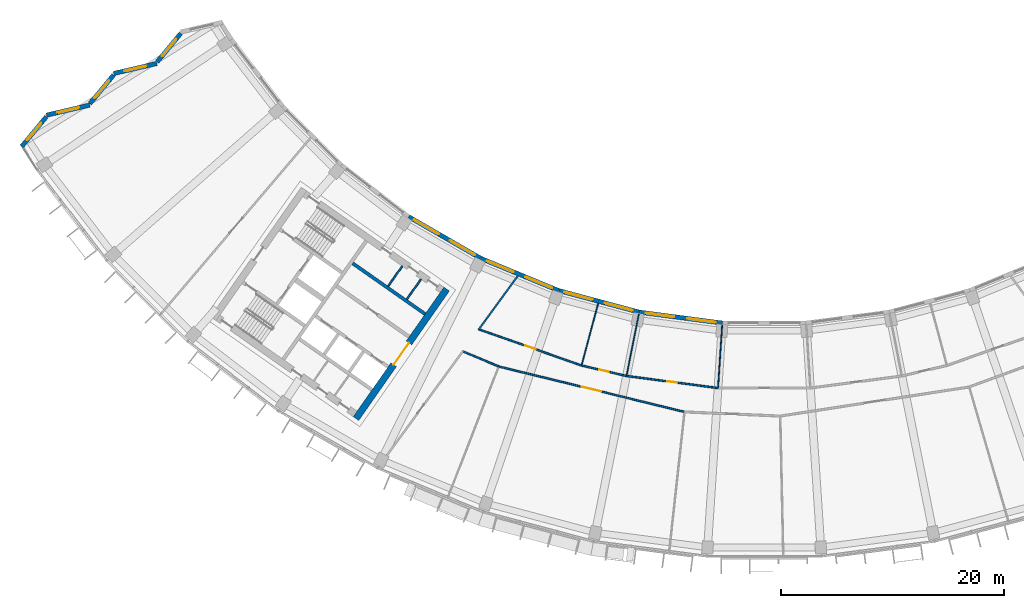
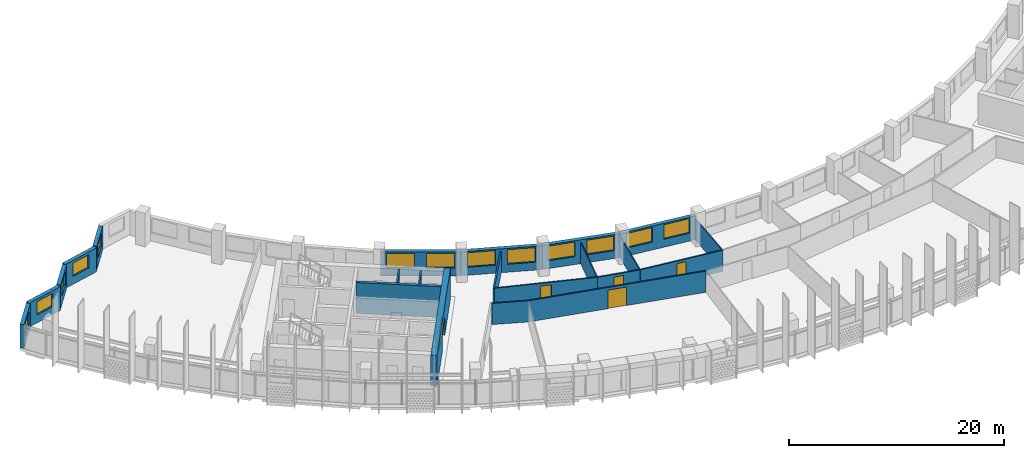
# One storey, part 4 of 28: 22 walls, 13 windows, 5 doors, 18 openings.
"""IFC4 building model written with IfcOpenShell, lengths in metres."""

import ifcopenshell
import ifcopenshell.guid

model = None  # the IFC model being written
_history = None  # IfcOwnerHistory: only IFC2X3 demands one
_inside = {}  # id of a spatial element -> (the spatial element, [elements in it])
_under = {}  # id of a project, library or spatial element -> (it, [spatial elements below it])
_declared = {}  # id of a project -> (the project, [libraries it declares])
_typed = {}  # id of a type object -> (the type object, [elements of that type])
_made_of = {}  # id of a material, layer set ... -> (it, [elements and type objects made of it])


def new_model(schema):
    """Start an empty IFC model of exactly this schema.

    Asked for "IFC4X3", IfcOpenShell would pick the latest addendum, in which some entities
    have other attributes; the version numbers below select the first issue.
    IFC2X3 requires an IfcOwnerHistory on every rooted entity: one is made here for all.
    """
    global model, _history
    if schema == "IFC4X3":
        model = ifcopenshell.file(schema_version=(4, 3, 0, 0))
    else:
        model = ifcopenshell.file(schema=schema)
    _inside.clear()
    _under.clear()
    _declared.clear()
    _typed.clear()
    _made_of.clear()
    _history = None
    if model.schema == "IFC2X3":
        org = make("IfcOrganization", Name="unknown")
        user = make(
            "IfcPersonAndOrganization",
            ThePerson=make("IfcPerson", FamilyName="unknown"),
            TheOrganization=org,
        )
        app = make(
            "IfcApplication",
            ApplicationDeveloper=org,
            Version="unknown",
            ApplicationFullName="unknown",
            ApplicationIdentifier="unknown",
        )
        _history = make(
            "IfcOwnerHistory",
            OwningUser=user,
            OwningApplication=app,
            ChangeAction="ADDED",
            CreationDate=0,
        )
    return model


def make(cls, **values):
    """One entity of the class cls with the attributes given. An attribute that is None is left unset."""
    return model.create_entity(
        cls, **{name: value for name, value in values.items() if value is not None}
    )


def rooted(cls, **values):
    """An entity with a GlobalId (a new one), such as an element, a storey or a relation."""
    return make(cls, GlobalId=ifcopenshell.guid.new(), OwnerHistory=_history, **values)


def si_unit(unit_type, name, prefix=None):
    """IfcSIUnit, for example si_unit("LENGTHUNIT", "METRE", prefix="MILLI")."""
    return make("IfcSIUnit", UnitType=unit_type, Prefix=prefix, Name=name)


def assignment(units):
    """IfcUnitAssignment: the units of a project."""
    return None if units is None else make("IfcUnitAssignment", Units=units)


def point(xyz):
    """IfcCartesianPoint."""
    return None if xyz is None else make("IfcCartesianPoint", Coordinates=xyz)


def direction(xyz):
    """IfcDirection."""
    return None if xyz is None else make("IfcDirection", DirectionRatios=xyz)


def frame(location, z_axis=None, x_axis=None):
    """IfcAxis2Placement3D, a coordinate frame: its origin and axes. An axis left out is left unset."""
    return make(
        "IfcAxis2Placement3D",
        Location=point(location),
        Axis=direction(z_axis),
        RefDirection=direction(x_axis),
    )


def frame_2d(location, x_axis=None):
    """IfcAxis2Placement2D, a coordinate frame in the plane: its origin and x axis."""
    return make(
        "IfcAxis2Placement2D", Location=point(location), RefDirection=direction(x_axis)
    )


def origin():
    """The frame at (0, 0, 0) with its axes left unset."""
    return frame((0.0, 0.0, 0.0))


def place(relative_to, where):
    """IfcLocalPlacement: puts the frame where relative to a parent placement (None: the world)."""
    return make(
        "IfcLocalPlacement", PlacementRelTo=relative_to, RelativePlacement=where
    )


def context(
    kind, dimensions, precision=None, world=None, true_north=None, identifier=None
):
    """IfcGeometricRepresentationContext, for example the 3D "Model" context."""
    return make(
        "IfcGeometricRepresentationContext",
        ContextIdentifier=identifier,
        ContextType=kind,
        CoordinateSpaceDimension=dimensions,
        Precision=precision,
        WorldCoordinateSystem=world,
        TrueNorth=true_north,
    )


def subcontext(parent, identifier, kind, view, scale=None):
    """IfcGeometricRepresentationSubContext, for example "Body" below "Model"."""
    return make(
        "IfcGeometricRepresentationSubContext",
        ContextIdentifier=identifier,
        ContextType=kind,
        ParentContext=parent,
        TargetScale=scale,
        TargetView=view,
    )


def project(units=None, contexts=None):
    """IfcProject with its units and contexts."""
    return rooted(
        "IfcProject",
        Name="project",
        RepresentationContexts=contexts,
        UnitsInContext=assignment(units),
    )


def spatial(cls, under=None, at=None, **own):
    """A site, building, storey or space (cls), placed at a placement, below another one or the project."""
    s = rooted(cls, ObjectPlacement=at, **own)
    if under is not None:
        _under.setdefault(under.id(), (under, []))[1].append(s)
    return s


def profile(cls, at=None, kind="AREA", **sizes):
    """A parametric profile (cls). Its sizes go by their IFC names, for example OverallWidth=200.0."""
    return make(cls, ProfileType=kind, Position=at, **sizes)


def rectangle(**sizes):
    """IfcRectangleProfileDef."""
    return profile("IfcRectangleProfileDef", **sizes)


def extrude(swept, where, along, depth):
    """IfcExtrudedAreaSolid: the profile swept, set in the frame where, extruded along a direction by depth."""
    return make(
        "IfcExtrudedAreaSolid",
        SweptArea=swept,
        Position=where,
        ExtrudedDirection=direction(along),
        Depth=depth,
    )


def shape(context_of_items, identifier, shape_type, items):
    """IfcShapeRepresentation: the items that make up one representation, for example the "Body"."""
    return make(
        "IfcShapeRepresentation",
        ContextOfItems=context_of_items,
        RepresentationIdentifier=identifier,
        RepresentationType=shape_type,
        Items=items,
    )


def material(Name=None, Category=None):
    """IfcMaterial."""
    return make("IfcMaterial", Name=Name, Category=Category)


def layer(
    of_material, thickness, ventilated=None, Name=None, Category=None, Priority=None
):
    """IfcMaterialLayer: one layer of a wall or slab, of a material (None: an air gap)."""
    return make(
        "IfcMaterialLayer",
        Material=of_material,
        LayerThickness=thickness,
        IsVentilated=ventilated,
        Name=Name,
        Category=Category,
        Priority=Priority,
    )


def layer_set(layers, Name=None):
    """IfcMaterialLayerSet."""
    return make("IfcMaterialLayerSet", MaterialLayers=layers, LayerSetName=Name)


def made_of(thing, what):
    """Note that an element or type object is made of a material, layer set ...; save() writes the relation."""
    if what is not None:
        _made_of.setdefault(what.id(), (what, []))[1].append(thing)
    return thing


def type_object(cls, material=None, **own):
    """A type object (cls), such as IfcWallType, which elements share."""
    return made_of(rooted(cls, **own), material)


def element(
    cls,
    number,
    at=None,
    inside=None,
    cuts=None,
    type_object=None,
    material=None,
    context=None,
    identifier="Body",
    shape_type=None,
    held_by="IfcProductDefinitionShape",
    body=None,
    shapes=None,
    **own,
):
    """One element of the class cls, such as IfcWall. Its Tag is "e" and its number.

    at: its placement. inside: the storey or other place that contains it. cuts: it is an
    opening in that element (IfcRelVoidsElement). A single representation is given by context,
    identifier, shape_type and body (its items); several are given by shapes. held_by: the class
    of the entity that holds the representations. save() writes the other relations.
    """
    e = rooted(cls, Tag="e%d" % number, ObjectPlacement=at, **own)
    if body is not None:
        shapes = [shape(context, identifier, shape_type, body)]
    if shapes is not None:
        e.Representation = make(held_by, Representations=shapes)
    if inside is not None:
        _inside.setdefault(inside.id(), (inside, []))[1].append(e)
    if cuts is not None:
        rooted(
            "IfcRelVoidsElement", RelatingBuildingElement=cuts, RelatedOpeningElement=e
        )
    if type_object is not None:
        _typed.setdefault(type_object.id(), (type_object, []))[1].append(e)
    return made_of(e, material)


def fill(opening, filler):
    """IfcRelFillsElement: the door or window that sits in an opening."""
    return rooted(
        "IfcRelFillsElement",
        RelatingOpeningElement=opening,
        RelatedBuildingElement=filler,
    )


def aggregate(whole, parts):
    """IfcRelAggregates: a whole, such as a stair, and the parts it consists of."""
    return rooted("IfcRelAggregates", RelatingObject=whole, RelatedObjects=parts)


def save(model, path):
    """Write the relations noted so far, then the file.

    IfcRelAggregates (storeys below a building ...), IfcRelContainedInSpatialStructure (elements
    in a storey), IfcRelDefinesByType, IfcRelAssociatesMaterial and IfcRelDeclares: one each for
    every whole, place, type object, material and project.
    """
    for whole, parts in _under.values():
        aggregate(whole, parts)
    for where, things in _inside.values():
        rooted(
            "IfcRelContainedInSpatialStructure",
            RelatedElements=things,
            RelatingStructure=where,
        )
    for kind, things in _typed.values():
        rooted("IfcRelDefinesByType", RelatedObjects=things, RelatingType=kind)
    for what, things in _made_of.values():
        rooted("IfcRelAssociatesMaterial", RelatedObjects=things, RelatingMaterial=what)
    for by, libraries in _declared.values():
        rooted("IfcRelDeclares", RelatingContext=by, RelatedDefinitions=libraries)
    model.write(path)


model = new_model("IFC4")

# Units and contexts
model_context = context("Model", 3, precision=1e-05, world=origin(), true_north=direction((0.0, 1.0)))
body_context = subcontext(model_context, "Body", "Model", "MODEL_VIEW")
ifc_project = project(units=[si_unit("LENGTHUNIT", "METRE"), si_unit("AREAUNIT", "SQUARE_METRE"), si_unit("VOLUMEUNIT", "CUBIC_METRE"), si_unit("PLANEANGLEUNIT", "RADIAN"), si_unit("MASSUNIT", "GRAM", prefix="KILO")], contexts=[model_context])

# Site, building, storey
site_placement = place(None, origin())
site = spatial("IfcSite", under=ifc_project, at=site_placement, CompositionType="ELEMENT")
building_placement = place(site_placement, origin())
building = spatial("IfcBuilding", under=site, at=building_placement, Name="Qamariyya Broadcast Tower", CompositionType="ELEMENT")
storey_placement = place(building_placement, frame((0.0, 0.0, 226.5)))
storey = spatial("IfcBuildingStorey", under=building, at=storey_placement, Name="L54", CompositionType="ELEMENT", Elevation=226.5)

# Wall, opening, door
ifc_material_1 = material(Name="Concrete C60/75", Category="concrete")
ifc_layer_1 = layer(ifc_material_1, 0.60009765625)
ifc_layer_set_1 = layer_set([ifc_layer_1], Name="Core wall 600 mm Concrete C60/75")
wall_type_1 = type_object("IfcWallType", Name="Core wall 600 mm Concrete C60/75", PredefinedType="SHEAR", material=ifc_layer_set_1)
wall_1_placement = place(storey_placement, frame((-36.66748046875, -66.005126953125, 0.0), z_axis=(0.0, 0.0, 1.0), x_axis=(0.573568499524, 0.819157601658, 0.0)))
wall_1 = element("IfcWall", 1, at=wall_1_placement, inside=storey, type_object=wall_type_1, Name="k-W-L54-WA", PredefinedType="SHEAR", context=body_context, shape_type="SweptSolid", body=[
    extrude(rectangle(XDim=14.19970703125, YDim=0.60009765625, at=frame_2d((7.099853515625, 0.0))), origin(), (0.0, 0.0, 1.0), 3.5),
])
opening_1_placement = place(wall_1_placement, frame((5.89990234375, 0.0, 0.0)))
opening_1 = element("IfcOpeningElement", 2, at=opening_1_placement, cuts=wall_1, Name="Opening KD3-W1", PredefinedType="OPENING", context=body_context, shape_type="SweptSolid", body=[
    extrude(rectangle(XDim=2.39990234375, YDim=2.10009765625, at=frame_2d((1.199951171875, 1.050048828125))), frame((0.0, 0.31005859375, 0.0), z_axis=(0.0, -1.0, 0.0), x_axis=(1.0, 0.0, 0.0)), (0.0, 0.0, 1.0), 0.6201171875),
])
ifc_material_2 = material(Name="Steel fire-resisting door leaf", Category="steel")
door_type_1 = type_object("IfcDoorType", Name="Lift lobby door KD3", OperationType="DOUBLE_DOOR_SINGLE_SWING", PredefinedType="DOOR", material=ifc_material_2)
door_1_placement = place(opening_1_placement, origin())
door_1 = element("IfcDoor", 3, at=door_1_placement, inside=storey, type_object=door_type_1, Name="k-W-L54-WA-D1", OperationType="DOUBLE_DOOR_SINGLE_SWING", OverallHeight=2.10009765625, OverallWidth=2.39990234375, PredefinedType="DOOR", context=body_context, shape_type="SweptSolid", body=[
    extrude(rectangle(XDim=2.39990234375, YDim=2.10009765625, at=frame_2d((1.199951171875, 1.050048828125))), frame((0.0, 0.02490234375, 0.0), z_axis=(0.0, -1.0, 0.0), x_axis=(1.0, 0.0, 0.0)), (0.0, 0.0, 1.0), 0.050048828125),
])
fill(opening_1, door_1)

# Wall
ifc_material_3 = material(Name="Gypsum board partition")
ifc_layer_2 = layer(ifc_material_3, 0.14990234375)
ifc_layer_set_2 = layer_set([ifc_layer_2], Name="Corridor partition 150 EI 60")
wall_type_2 = type_object("IfcWallType", Name="Corridor partition 150 EI 60", PredefinedType="PARTITIONING", material=ifc_layer_set_2)
wall_2_placement = place(storey_placement, frame((-27.008544921875, -59.999267578125, 0.0), z_axis=(0.0, 0.0, 1.0), x_axis=(0.922043605685, -0.387086023018, 0.0)))
element("IfcWall", 4, at=wall_2_placement, inside=storey, type_object=wall_type_2, Name="Partition L54-004", PredefinedType="PARTITIONING", context=body_context, shape_type="SweptSolid", body=[
    extrude(rectangle(XDim=3.42919921875, YDim=0.14990234375, at=frame_2d((1.714599609375, 0.0))), origin(), (0.0, 0.0, 1.0), 2.39990234375),
])

# Wall, opening, door
wall_3_placement = place(storey_placement, frame((-25.56103515625, -58.0126953125, 0.0), z_axis=(0.0, 0.0, 1.0), x_axis=(0.943087830275, -0.332543748081, 0.0)))
wall_3 = element("IfcWall", 5, at=wall_3_placement, inside=storey, type_object=wall_type_2, Name="Partition L54-005", PredefinedType="PARTITIONING", context=body_context, shape_type="SweptSolid", body=[
    extrude(rectangle(XDim=9.7041015625, YDim=0.14990234375, at=frame_2d((4.85205078125, 0.0))), origin(), (0.0, 0.0, 1.0), 2.39990234375),
])
opening_2_placement = place(wall_3_placement, frame((4.35205078125, 0.0, 0.0)))
opening_2 = element("IfcOpeningElement", 6, at=opening_2_placement, cuts=wall_3, Name="Opening L54-D06", PredefinedType="OPENING", context=body_context, shape_type="SweptSolid", body=[
    extrude(rectangle(XDim=1.0, YDim=2.10009765625, at=frame_2d((0.5, 1.050048828125))), frame((0.0, 0.0849609375, 0.0), z_axis=(0.0, -1.0, 0.0), x_axis=(1.0, 0.0, 0.0)), (0.0, 0.0, 1.0), 0.169921875),
])
ifc_material_4 = material(Name="Timber fire door leaf", Category="wood")
door_type_2 = type_object("IfcDoorType", Name="Fire door 1000 x 2100 FD60", OperationType="NOTDEFINED", PredefinedType="DOOR", material=ifc_material_4)
door_2_placement = place(opening_2_placement, origin())
door_2 = element("IfcDoor", 7, at=door_2_placement, inside=storey, type_object=door_type_2, Name="Door L54-D06", OperationType="SINGLE_SWING_RIGHT", OverallHeight=2.10009765625, OverallWidth=1.0, PredefinedType="DOOR", context=body_context, shape_type="SweptSolid", body=[
    extrude(rectangle(XDim=1.0, YDim=2.10009765625, at=frame_2d((0.5, 1.050048828125))), frame((0.0, 0.02490234375, 0.0), z_axis=(0.0, -1.0, 0.0), x_axis=(1.0, 0.0, 0.0)), (0.0, 0.0, 1.0), 0.050048828125),
])
fill(opening_2, door_2)

wall_4_placement = place(storey_placement, frame((-7.16162109375, -65.4091796875, 0.0), z_axis=(0.0, 0.0, 1.0), x_axis=(-0.971345945065, 0.23767005492, 0.0)))
wall_4 = element("IfcWall", 8, at=wall_4_placement, inside=storey, type_object=wall_type_2, Name="Partition L54-006", PredefinedType="PARTITIONING", context=body_context, shape_type="SweptSolid", body=[
    extrude(rectangle(XDim=17.17724609375, YDim=0.14990234375, at=frame_2d((8.588623046875, 0.0))), origin(), (0.0, 0.0, 1.0), 2.39990234375),
])
opening_3_placement = place(wall_4_placement, frame((7.688720703125, 0.0, 0.0)))
opening_3 = element("IfcOpeningElement", 9, at=opening_3_placement, cuts=wall_4, Name="Opening L54-D02", PredefinedType="OPENING", context=body_context, shape_type="SweptSolid", body=[
    extrude(rectangle(XDim=1.800048828125, YDim=2.10009765625, at=frame_2d((0.89990234375, 1.050048828125))), frame((0.0, 0.0849609375, 0.0), z_axis=(0.0, -1.0, 0.0), x_axis=(1.0, 0.0, 0.0)), (0.0, 0.0, 1.0), 0.169921875),
])
door_type_3 = type_object("IfcDoorType", Name="Double fire door 1800 x 2100 FD60", OperationType="NOTDEFINED", PredefinedType="DOOR", material=ifc_material_4)
door_3_placement = place(opening_3_placement, origin())
door_3 = element("IfcDoor", 10, at=door_3_placement, inside=storey, type_object=door_type_3, Name="Door L54-D02", OperationType="DOUBLE_DOOR_SINGLE_SWING", OverallHeight=2.10009765625, OverallWidth=1.800048828125, PredefinedType="DOOR", context=body_context, shape_type="SweptSolid", body=[
    extrude(rectangle(XDim=1.800048828125, YDim=2.10009765625, at=frame_2d((0.89990234375, 1.050048828125))), frame((0.0, 0.02490234375, 0.0), z_axis=(0.0, -1.0, 0.0), x_axis=(1.0, 0.0, 0.0)), (0.0, 0.0, 1.0), 0.050048828125),
])
fill(opening_3, door_3)

# Wall
wall_5_placement = place(storey_placement, frame((-22.135498046875, -53.1943359375, 0.0), z_axis=(0.0, 0.0, 1.0), x_axis=(-0.589297062476, -0.807916438846, 0.0)))
element("IfcWall", 11, at=wall_5_placement, inside=storey, type_object=wall_type_2, Name="Partition L54-007", PredefinedType="PARTITIONING", context=body_context, shape_type="SweptSolid", body=[
    extrude(rectangle(XDim=6.008056640625, YDim=0.14990234375, at=frame_2d((3.00390625, 0.0))), origin(), (0.0, 0.0, 1.0), 2.39990234375),
])

# Wall, opening, door
wall_6_placement = place(storey_placement, frame((-16.4091796875, -61.23974609375, 0.0), z_axis=(0.0, 0.0, 1.0), x_axis=(0.973875922187, -0.227080796599, 0.0)))
wall_6 = element("IfcWall", 12, at=wall_6_placement, inside=storey, type_object=wall_type_2, Name="Partition L54-008", PredefinedType="PARTITIONING", context=body_context, shape_type="SweptSolid", body=[
    extrude(rectangle(XDim=4.14892578125, YDim=0.14990234375, at=frame_2d((2.074462890625, 0.0))), origin(), (0.0, 0.0, 1.0), 2.39990234375),
])
opening_4_placement = place(wall_6_placement, frame((1.62451171875, 0.0, 0.0)))
opening_4 = element("IfcOpeningElement", 13, at=opening_4_placement, cuts=wall_6, Name="Opening L54-D07", PredefinedType="OPENING", context=body_context, shape_type="SweptSolid", body=[
    extrude(rectangle(XDim=0.89990234375, YDim=2.10009765625, at=frame_2d((0.449951171875, 1.050048828125))), frame((0.0, 0.0849609375, 0.0), z_axis=(0.0, -1.0, 0.0), x_axis=(1.0, 0.0, 0.0)), (0.0, 0.0, 1.0), 0.169921875),
])
door_type_4 = type_object("IfcDoorType", Name="Fire door 900 x 2100 FD60", OperationType="NOTDEFINED", PredefinedType="DOOR", material=ifc_material_4)
door_4_placement = place(opening_4_placement, origin())
door_4 = element("IfcDoor", 14, at=door_4_placement, inside=storey, type_object=door_type_4, Name="Door L54-D07", OperationType="SINGLE_SWING_RIGHT", OverallHeight=2.10009765625, OverallWidth=0.89990234375, PredefinedType="DOOR", context=body_context, shape_type="SweptSolid", body=[
    extrude(rectangle(XDim=0.89990234375, YDim=2.10009765625, at=frame_2d((0.449951171875, 1.050048828125))), frame((0.0, 0.02490234375, 0.0), z_axis=(0.0, -1.0, 0.0), x_axis=(1.0, 0.0, 0.0)), (0.0, 0.0, 1.0), 0.050048828125),
])
fill(opening_4, door_4)

wall_7_placement = place(storey_placement, frame((-12.36865234375, -62.181884765625, 0.0), z_axis=(0.0, 0.0, 1.0), x_axis=(0.991447881484, -0.130503250152, 0.0)))
wall_7 = element("IfcWall", 15, at=wall_7_placement, inside=storey, type_object=wall_type_2, Name="Partition L54-010", PredefinedType="PARTITIONING", context=body_context, shape_type="SweptSolid", body=[
    extrude(rectangle(XDim=8.293212890625, YDim=0.14990234375, at=frame_2d((4.146484375, 0.0))), origin(), (0.0, 0.0, 1.0), 2.39990234375),
])
opening_5_placement = place(wall_7_placement, frame((3.696533203125, 0.0, 0.0)))
opening_5 = element("IfcOpeningElement", 16, at=opening_5_placement, cuts=wall_7, Name="Opening L54-D08", PredefinedType="OPENING", context=body_context, shape_type="SweptSolid", body=[
    extrude(rectangle(XDim=0.89990234375, YDim=2.10009765625, at=frame_2d((0.449951171875, 1.050048828125))), frame((0.0, 0.0849609375, 0.0), z_axis=(0.0, -1.0, 0.0), x_axis=(1.0, 0.0, 0.0)), (0.0, 0.0, 1.0), 0.169921875),
])
door_5_placement = place(opening_5_placement, origin())
door_5 = element("IfcDoor", 17, at=door_5_placement, inside=storey, type_object=door_type_4, Name="Door L54-D08", OperationType="SINGLE_SWING_RIGHT", OverallHeight=2.10009765625, OverallWidth=0.89990234375, PredefinedType="DOOR", context=body_context, shape_type="SweptSolid", body=[
    extrude(rectangle(XDim=0.89990234375, YDim=2.10009765625, at=frame_2d((0.449951171875, 1.050048828125))), frame((0.0, 0.02490234375, 0.0), z_axis=(0.0, -1.0, 0.0), x_axis=(1.0, 0.0, 0.0)), (0.0, 0.0, 1.0), 0.050048828125),
])
fill(opening_5, door_5)

# Walls
ifc_material_5 = material(Name="Gypsum board partition on steel studs", Category="steel")
ifc_layer_3 = layer(ifc_material_5, 0.14990234375)
ifc_layer_set_3 = layer_set([ifc_layer_3], Name="Gypsum board partition 150 mm")
wall_type_3 = type_object("IfcWallType", Name="Gypsum board partition 150 mm", PredefinedType="PARTITIONING", material=ifc_layer_set_3)
wall_8_placement = place(storey_placement, frame((-32.0947265625, -55.290283203125, 0.0), z_axis=(0.0, 0.0, 1.0), x_axis=(0.573559170999, 0.819164133348, 0.0)))
element("IfcWall", 18, at=wall_8_placement, inside=storey, type_object=wall_type_3, Name="k-W-L54-NP210", PredefinedType="PARTITIONING", context=body_context, shape_type="SweptSolid", body=[
    extrude(rectangle(XDim=2.19970703125, YDim=0.14990234375, at=frame_2d((1.099853515625, 0.0))), origin(), (0.0, 0.0, 1.0), 3.5),
])
wall_9_placement = place(storey_placement, frame((-33.774169921875, -54.114501953125, 0.0), z_axis=(0.0, 0.0, 1.0), x_axis=(0.573581496053, 0.819148501424, 0.0)))
element("IfcWall", 19, at=wall_9_placement, inside=storey, type_object=wall_type_3, Name="k-W-L54-NP415", PredefinedType="PARTITIONING", context=body_context, shape_type="SweptSolid", body=[
    extrude(rectangle(XDim=2.2001953125, YDim=0.14990234375, at=frame_2d((1.10009765625, 0.0))), origin(), (0.0, 0.0, 1.0), 3.5),
])
ifc_layer_4 = layer(ifc_material_1, 0.300048828125)
ifc_layer_set_4 = layer_set([ifc_layer_4], Name="Lift shaft wall 300 mm Concrete C60/75")
wall_type_4 = type_object("IfcWallType", Name="Lift shaft wall 300 mm Concrete C60/75", PredefinedType="SOLIDWALL", material=ifc_layer_set_4)
wall_10_placement = place(storey_placement, frame((-30.460693359375, -56.61767578125, 0.0), z_axis=(0.0, 0.0, 1.0), x_axis=(-0.819142461705, 0.573590121456, 0.0)))
element("IfcWall", 20, at=wall_10_placement, inside=storey, type_object=wall_type_4, Name="k-W-L54-NB0", PredefinedType="SOLIDWALL", context=body_context, shape_type="SweptSolid", body=[
    extrude(rectangle(XDim=7.949951171875, YDim=0.300048828125, at=frame_2d((3.97509765625, 0.0))), origin(), (0.0, 0.0, 1.0), 3.5),
])
ifc_layer_5 = layer(ifc_material_3, 0.10009765625)
ifc_layer_set_5 = layer_set([ifc_layer_5], Name="Partition 100")
wall_type_5 = type_object("IfcWallType", Name="Partition 100", PredefinedType="PARTITIONING", material=ifc_layer_set_5)
wall_11_placement = place(storey_placement, frame((-14.9150390625, -55.66357421875, 0.0), z_axis=(0.0, 0.0, 1.0), x_axis=(-0.258803907589, -0.965929882247, 0.0)))
element("IfcWall", 21, at=wall_11_placement, inside=storey, type_object=wall_type_5, Name="Partition L54-009", PredefinedType="PARTITIONING", context=body_context, shape_type="SweptSolid", body=[
    extrude(rectangle(XDim=5.69775390625, YDim=0.10009765625, at=frame_2d((2.848876953125, 0.0))), origin(), (0.0, 0.0, 1.0), 2.39990234375),
])
for number, where, z_axis, x_axis, name in (
    (22, (-11.266357421875, -56.640380859375, 0.0), (0.0, 0.0, 1.0), (-0.195097004053, -0.98078395124, 0.0), "Partition L54-011"),
    (23, (-3.777099609375, -57.62646484375, 0.0), (0.0, 0.0, 1.0), (-0.065382488891, -0.997860275864, 0.0), "Partition L54-015"),
):
    element("IfcWall", number, at=place(storey_placement, frame(where, z_axis=z_axis, x_axis=x_axis)), inside=storey, type_object=wall_type_5, Name=name, PredefinedType="PARTITIONING", context=body_context, shape_type="SweptSolid", body=[
        extrude(rectangle(XDim=5.574951171875, YDim=0.10009765625, at=frame_2d((2.78759765625, 0.0))), origin(), (0.0, 0.0, 1.0), 2.39990234375),
    ])

# Wall, opening, window
ifc_material_6 = material(Name="Terracotta", Category="masonry")
ifc_layer_6 = layer(ifc_material_6, 0.39990234375)
ifc_layer_set_6 = layer_set([ifc_layer_6], Name="Terracotta clad wall 400")
wall_type_6 = type_object("IfcWallType", Name="Terracotta clad wall 400", PredefinedType="SOLIDWALL", material=ifc_layer_set_6)
wall_12_placement = place(storey_placement, frame((-52.412109375, -31.404296875, 0.0), z_axis=(0.0, 0.0, 1.0), x_axis=(-0.637298735756, -0.770616844745, 0.0)))
wall_12 = element("IfcWall", 24, at=wall_12_placement, inside=storey, type_object=wall_type_6, Name="e-wl-L54-capW1", PredefinedType="SOLIDWALL", context=body_context, shape_type="SweptSolid", body=[
    extrude(rectangle(XDim=3.32568359375, YDim=0.39990234375, at=frame_2d((1.662841796875, 0.0))), origin(), (0.0, 0.0, 1.0), 2.699951171875),
])
opening_6_placement = place(wall_12_placement, frame((0.662841796875, 0.0, 0.89990234375)))
opening_6 = element("IfcOpeningElement", 25, at=opening_6_placement, cuts=wall_12, Name="Opening W4", PredefinedType="OPENING", context=body_context, shape_type="SweptSolid", body=[
    extrude(rectangle(XDim=2.0, YDim=1.5, at=frame_2d((1.0, 0.75))), frame((0.0, 0.2099609375, 0.0), z_axis=(0.0, -1.0, 0.0), x_axis=(1.0, 0.0, 0.0)), (0.0, 0.0, 1.0), 0.419921875),
])
ifc_material_7 = material(Name="Clear low-e double glazed unit in aluminium frame", Category="aluminium")
window_type_1 = type_object("IfcWindowType", Name="Horn bay window 2000 x 1500", PartitioningType="SINGLE_PANEL", PredefinedType="WINDOW", material=ifc_material_7)
window_1_placement = place(opening_6_placement, origin())
window_1 = element("IfcWindow", 26, at=window_1_placement, inside=storey, type_object=window_type_1, Name="e-w-L54-capW1", OverallHeight=1.5, OverallWidth=2.0, PartitioningType="SINGLE_PANEL", PredefinedType="WINDOW", context=body_context, shape_type="SweptSolid", body=[
    extrude(rectangle(XDim=2.0, YDim=1.5, at=frame_2d((1.0, 0.75))), frame((0.0, 0.030029296875, 0.0), z_axis=(0.0, -1.0, 0.0), x_axis=(1.0, 0.0, 0.0)), (0.0, 0.0, 1.0), 0.06005859375),
])
fill(opening_6, window_1)

wall_13_placement = place(storey_placement, frame((-54.552490234375, -34.106689453125, 0.0), z_axis=(0.0, 0.0, 1.0), x_axis=(-0.974112167207, -0.226065224437, 0.0)))
wall_13 = element("IfcWall", 27, at=wall_13_placement, inside=storey, type_object=wall_type_6, Name="e-wl-L54-capW2", PredefinedType="SOLIDWALL", context=body_context, shape_type="SweptSolid", body=[
    extrude(rectangle(XDim=3.9775390625, YDim=0.39990234375, at=frame_2d((1.98876953125, 0.0))), origin(), (0.0, 0.0, 1.0), 2.699951171875),
])
opening_7_placement = place(wall_13_placement, frame((0.988525390625, 0.0, 0.89990234375)))
opening_7 = element("IfcOpeningElement", 28, at=opening_7_placement, cuts=wall_13, Name="Opening W4", PredefinedType="OPENING", context=body_context, shape_type="SweptSolid", body=[
    extrude(rectangle(XDim=2.0, YDim=1.5, at=frame_2d((1.0, 0.75))), frame((0.0, 0.2099609375, 0.0), z_axis=(0.0, -1.0, 0.0), x_axis=(1.0, 0.0, 0.0)), (0.0, 0.0, 1.0), 0.419921875),
])
window_2_placement = place(opening_7_placement, origin())
window_2 = element("IfcWindow", 29, at=window_2_placement, inside=storey, type_object=window_type_1, Name="e-w-L54-capW2", OverallHeight=1.5, OverallWidth=2.0, PartitioningType="SINGLE_PANEL", PredefinedType="WINDOW", context=body_context, shape_type="SweptSolid", body=[
    extrude(rectangle(XDim=2.0, YDim=1.5, at=frame_2d((1.0, 0.75))), frame((0.0, 0.030029296875, 0.0), z_axis=(0.0, -1.0, 0.0), x_axis=(1.0, 0.0, 0.0)), (0.0, 0.0, 1.0), 0.06005859375),
])
fill(opening_7, window_2)

wall_14_placement = place(storey_placement, frame((-58.447998046875, -35.1455078125, 0.0), z_axis=(0.0, 0.0, 1.0), x_axis=(-0.637232486642, -0.770671627847, 0.0)))
wall_14 = element("IfcWall", 30, at=wall_14_placement, inside=storey, type_object=wall_type_6, Name="e-wl-L54-capW3", PredefinedType="SOLIDWALL", context=body_context, shape_type="SweptSolid", body=[
    extrude(rectangle(XDim=3.324462890625, YDim=0.39990234375, at=frame_2d((1.662109375, 0.0))), origin(), (0.0, 0.0, 1.0), 2.699951171875),
])
opening_8_placement = place(wall_14_placement, frame((0.662353515625, 0.0, 0.89990234375)))
opening_8 = element("IfcOpeningElement", 31, at=opening_8_placement, cuts=wall_14, Name="Opening W4", PredefinedType="OPENING", context=body_context, shape_type="SweptSolid", body=[
    extrude(rectangle(XDim=2.0, YDim=1.5, at=frame_2d((1.0, 0.75))), frame((0.0, 0.2099609375, 0.0), z_axis=(0.0, -1.0, 0.0), x_axis=(1.0, 0.0, 0.0)), (0.0, 0.0, 1.0), 0.419921875),
])
window_3_placement = place(opening_8_placement, origin())
window_3 = element("IfcWindow", 32, at=window_3_placement, inside=storey, type_object=window_type_1, Name="e-w-L54-capW3", OverallHeight=1.5, OverallWidth=2.0, PartitioningType="SINGLE_PANEL", PredefinedType="WINDOW", context=body_context, shape_type="SweptSolid", body=[
    extrude(rectangle(XDim=2.0, YDim=1.5, at=frame_2d((1.0, 0.75))), frame((0.0, 0.030029296875, 0.0), z_axis=(0.0, -1.0, 0.0), x_axis=(1.0, 0.0, 0.0)), (0.0, 0.0, 1.0), 0.06005859375),
])
fill(opening_8, window_3)

wall_15_placement = place(storey_placement, frame((-60.58740234375, -37.84716796875, 0.0), z_axis=(0.0, 0.0, 1.0), x_axis=(-0.974094544919, -0.226141145217, 0.0)))
wall_15 = element("IfcWall", 33, at=wall_15_placement, inside=storey, type_object=wall_type_6, Name="e-wl-L54-capW4", PredefinedType="SOLIDWALL", context=body_context, shape_type="SweptSolid", body=[
    extrude(rectangle(XDim=3.978271484375, YDim=0.39990234375, at=frame_2d((1.9892578125, 0.0))), origin(), (0.0, 0.0, 1.0), 2.699951171875),
])
opening_9_placement = place(wall_15_placement, frame((0.989013671875, 0.0, 0.89990234375)))
opening_9 = element("IfcOpeningElement", 34, at=opening_9_placement, cuts=wall_15, Name="Opening W4", PredefinedType="OPENING", context=body_context, shape_type="SweptSolid", body=[
    extrude(rectangle(XDim=2.0, YDim=1.5, at=frame_2d((1.0, 0.75))), frame((0.0, 0.2099609375, 0.0), z_axis=(0.0, -1.0, 0.0), x_axis=(1.0, 0.0, 0.0)), (0.0, 0.0, 1.0), 0.419921875),
])
window_4_placement = place(opening_9_placement, origin())
window_4 = element("IfcWindow", 35, at=window_4_placement, inside=storey, type_object=window_type_1, Name="e-w-L54-capW4", OverallHeight=1.5, OverallWidth=2.0, PartitioningType="SINGLE_PANEL", PredefinedType="WINDOW", context=body_context, shape_type="SweptSolid", body=[
    extrude(rectangle(XDim=2.0, YDim=1.5, at=frame_2d((1.0, 0.75))), frame((0.0, 0.030029296875, 0.0), z_axis=(0.0, -1.0, 0.0), x_axis=(1.0, 0.0, 0.0)), (0.0, 0.0, 1.0), 0.06005859375),
])
fill(opening_9, window_4)

wall_16_placement = place(storey_placement, frame((-64.483642578125, -38.886474609375, 0.0), z_axis=(0.0, 0.0, 1.0), x_axis=(-0.637150324719, -0.770739556342, 0.0)))
wall_16 = element("IfcWall", 36, at=wall_16_placement, inside=storey, type_object=wall_type_6, Name="e-wl-L54-capW5", PredefinedType="SOLIDWALL", context=body_context, shape_type="SweptSolid", body=[
    extrude(rectangle(XDim=3.472412109375, YDim=0.39990234375, at=frame_2d((1.736328125, 0.0))), origin(), (0.0, 0.0, 1.0), 2.699951171875),
])
opening_10_placement = place(wall_16_placement, frame((0.736083984375, 0.0, 0.89990234375)))
opening_10 = element("IfcOpeningElement", 37, at=opening_10_placement, cuts=wall_16, Name="Opening W4", PredefinedType="OPENING", context=body_context, shape_type="SweptSolid", body=[
    extrude(rectangle(XDim=2.0, YDim=1.5, at=frame_2d((1.0, 0.75))), frame((0.0, 0.2099609375, 0.0), z_axis=(0.0, -1.0, 0.0), x_axis=(1.0, 0.0, 0.0)), (0.0, 0.0, 1.0), 0.419921875),
])
window_5_placement = place(opening_10_placement, origin())
window_5 = element("IfcWindow", 38, at=window_5_placement, inside=storey, type_object=window_type_1, Name="e-w-L54-capW5", OverallHeight=1.5, OverallWidth=2.0, PartitioningType="SINGLE_PANEL", PredefinedType="WINDOW", context=body_context, shape_type="SweptSolid", body=[
    extrude(rectangle(XDim=2.0, YDim=1.5, at=frame_2d((1.0, 0.75))), frame((0.0, 0.030029296875, 0.0), z_axis=(0.0, -1.0, 0.0), x_axis=(1.0, 0.0, 0.0)), (0.0, 0.0, 1.0), 0.06005859375),
])
fill(opening_10, window_5)

# Wall, openings, windows
wall_17_placement = place(storey_placement, frame((-25.497802734375, -51.590087890625, 0.0), z_axis=(0.0, 0.0, 1.0), x_axis=(-0.866021353871, 0.500007014591, 0.0)))
wall_17 = element("IfcWall", 39, at=wall_17_placement, inside=storey, type_object=wall_type_6, Name="e-wl-L54-in40", PredefinedType="SOLIDWALL", context=body_context, shape_type="SweptSolid", body=[
    extrude(rectangle(XDim=7.4267578125, YDim=0.39990234375, at=frame_2d((3.71337890625, 0.0))), origin(), (0.0, 0.0, 1.0), 2.699951171875),
])
opening_11_placement = place(wall_17_placement, frame((4.28857421875, 0.0, 0.89990234375)))
opening_11 = element("IfcOpeningElement", 40, at=opening_11_placement, cuts=wall_17, Name="Opening W1", PredefinedType="OPENING", context=body_context, shape_type="SweptSolid", body=[
    extrude(rectangle(XDim=2.60009765625, YDim=1.64990234375, at=frame_2d((1.300048828125, 0.824951171875))), frame((0.0, 0.2099609375, 0.0), z_axis=(0.0, -1.0, 0.0), x_axis=(1.0, 0.0, 0.0)), (0.0, 0.0, 1.0), 0.419921875),
])
opening_12_placement = place(wall_17_placement, frame((0.537841796875, 0.0, 0.89990234375)))
opening_12 = element("IfcOpeningElement", 41, at=opening_12_placement, cuts=wall_17, Name="Opening W1", PredefinedType="OPENING", context=body_context, shape_type="SweptSolid", body=[
    extrude(rectangle(XDim=2.60009765625, YDim=1.64990234375, at=frame_2d((1.300048828125, 0.824951171875))), frame((0.0, 0.2099609375, 0.0), z_axis=(0.0, -1.0, 0.0), x_axis=(1.0, 0.0, 0.0)), (0.0, 0.0, 1.0), 0.419921875),
])
window_type_2 = type_object("IfcWindowType", Name="Ribbon window 2600 x 1650", PartitioningType="SINGLE_PANEL", PredefinedType="WINDOW", material=ifc_material_7)
window_6_placement = place(opening_11_placement, origin())
window_6 = element("IfcWindow", 42, at=window_6_placement, inside=storey, type_object=window_type_2, Name="e-w-L54-in04-0", OverallHeight=1.64990234375, OverallWidth=2.60009765625, PartitioningType="SINGLE_PANEL", PredefinedType="WINDOW", context=body_context, shape_type="SweptSolid", body=[
    extrude(rectangle(XDim=2.60009765625, YDim=1.64990234375, at=frame_2d((1.300048828125, 0.824951171875))), frame((0.0, 0.030029296875, 0.0), z_axis=(0.0, -1.0, 0.0), x_axis=(1.0, 0.0, 0.0)), (0.0, 0.0, 1.0), 0.06005859375),
])
fill(opening_11, window_6)
window_7_placement = place(opening_12_placement, origin())
window_7 = element("IfcWindow", 43, at=window_7_placement, inside=storey, type_object=window_type_2, Name="e-w-L54-in04-1", OverallHeight=1.64990234375, OverallWidth=2.60009765625, PartitioningType="SINGLE_PANEL", PredefinedType="WINDOW", context=body_context, shape_type="SweptSolid", body=[
    extrude(rectangle(XDim=2.60009765625, YDim=1.64990234375, at=frame_2d((1.300048828125, 0.824951171875))), frame((0.0, 0.030029296875, 0.0), z_axis=(0.0, -1.0, 0.0), x_axis=(1.0, 0.0, 0.0)), (0.0, 0.0, 1.0), 0.06005859375),
])
fill(opening_12, window_7)

wall_18_placement = place(storey_placement, frame((-18.475830078125, -54.505859375, 0.0), z_axis=(0.0, 0.0, 1.0), x_axis=(-0.923884115122, 0.382672368777, 0.0)))
wall_18 = element("IfcWall", 44, at=wall_18_placement, inside=storey, type_object=wall_type_6, Name="e-wl-L54-in50", PredefinedType="SOLIDWALL", context=body_context, shape_type="SweptSolid", body=[
    extrude(rectangle(XDim=7.578125, YDim=0.39990234375, at=frame_2d((3.7890625, 0.0))), origin(), (0.0, 0.0, 1.0), 2.699951171875),
])
opening_13_placement = place(wall_18_placement, frame((4.364501953125, 0.0, 0.89990234375)))
opening_13 = element("IfcOpeningElement", 45, at=opening_13_placement, cuts=wall_18, Name="Opening W1", PredefinedType="OPENING", context=body_context, shape_type="SweptSolid", body=[
    extrude(rectangle(XDim=2.60009765625, YDim=1.64990234375, at=frame_2d((1.300048828125, 0.824951171875))), frame((0.0, 0.2099609375, 0.0), z_axis=(0.0, -1.0, 0.0), x_axis=(1.0, 0.0, 0.0)), (0.0, 0.0, 1.0), 0.419921875),
])
opening_14_placement = place(wall_18_placement, frame((0.613525390625, 0.0, 0.89990234375)))
opening_14 = element("IfcOpeningElement", 46, at=opening_14_placement, cuts=wall_18, Name="Opening W1", PredefinedType="OPENING", context=body_context, shape_type="SweptSolid", body=[
    extrude(rectangle(XDim=2.60009765625, YDim=1.64990234375, at=frame_2d((1.300048828125, 0.824951171875))), frame((0.0, 0.2099609375, 0.0), z_axis=(0.0, -1.0, 0.0), x_axis=(1.0, 0.0, 0.0)), (0.0, 0.0, 1.0), 0.419921875),
])
window_8_placement = place(opening_13_placement, origin())
window_8 = element("IfcWindow", 47, at=window_8_placement, inside=storey, type_object=window_type_2, Name="e-w-L54-in05-0", OverallHeight=1.64990234375, OverallWidth=2.60009765625, PartitioningType="SINGLE_PANEL", PredefinedType="WINDOW", context=body_context, shape_type="SweptSolid", body=[
    extrude(rectangle(XDim=2.60009765625, YDim=1.64990234375, at=frame_2d((1.300048828125, 0.824951171875))), frame((0.0, 0.030029296875, 0.0), z_axis=(0.0, -1.0, 0.0), x_axis=(1.0, 0.0, 0.0)), (0.0, 0.0, 1.0), 0.06005859375),
])
fill(opening_13, window_8)
window_9_placement = place(opening_14_placement, origin())
window_9 = element("IfcWindow", 48, at=window_9_placement, inside=storey, type_object=window_type_2, Name="e-w-L54-in05-1", OverallHeight=1.64990234375, OverallWidth=2.60009765625, PartitioningType="SINGLE_PANEL", PredefinedType="WINDOW", context=body_context, shape_type="SweptSolid", body=[
    extrude(rectangle(XDim=2.60009765625, YDim=1.64990234375, at=frame_2d((1.300048828125, 0.824951171875))), frame((0.0, 0.030029296875, 0.0), z_axis=(0.0, -1.0, 0.0), x_axis=(1.0, 0.0, 0.0)), (0.0, 0.0, 1.0), 0.06005859375),
])
fill(opening_14, window_9)

wall_19_placement = place(storey_placement, frame((-11.276611328125, -56.431396484375, 0.0), z_axis=(0.0, 0.0, 1.0), x_axis=(-0.965924866111, 0.25882262851, 0.0)))
wall_19 = element("IfcWall", 49, at=wall_19_placement, inside=storey, type_object=wall_type_6, Name="e-wl-L54-in60", PredefinedType="SOLIDWALL", context=body_context, shape_type="SweptSolid", body=[
    extrude(rectangle(XDim=7.426513671875, YDim=0.39990234375, at=frame_2d((3.71337890625, 0.0))), origin(), (0.0, 0.0, 1.0), 2.699951171875),
])
opening_15_placement = place(wall_19_placement, frame((4.28857421875, 0.0, 0.89990234375)))
opening_15 = element("IfcOpeningElement", 50, at=opening_15_placement, cuts=wall_19, Name="Opening W1", PredefinedType="OPENING", context=body_context, shape_type="SweptSolid", body=[
    extrude(rectangle(XDim=2.60009765625, YDim=1.64990234375, at=frame_2d((1.300048828125, 0.824951171875))), frame((0.0, 0.2099609375, 0.0), z_axis=(0.0, -1.0, 0.0), x_axis=(1.0, 0.0, 0.0)), (0.0, 0.0, 1.0), 0.419921875),
])
opening_16_placement = place(wall_19_placement, frame((0.537841796875, 0.0, 0.89990234375)))
opening_16 = element("IfcOpeningElement", 51, at=opening_16_placement, cuts=wall_19, Name="Opening W1", PredefinedType="OPENING", context=body_context, shape_type="SweptSolid", body=[
    extrude(rectangle(XDim=2.60009765625, YDim=1.64990234375, at=frame_2d((1.300048828125, 0.824951171875))), frame((0.0, 0.2099609375, 0.0), z_axis=(0.0, -1.0, 0.0), x_axis=(1.0, 0.0, 0.0)), (0.0, 0.0, 1.0), 0.419921875),
])
window_10_placement = place(opening_15_placement, origin())
window_10 = element("IfcWindow", 52, at=window_10_placement, inside=storey, type_object=window_type_2, Name="e-w-L54-in06-0", OverallHeight=1.64990234375, OverallWidth=2.60009765625, PartitioningType="SINGLE_PANEL", PredefinedType="WINDOW", context=body_context, shape_type="SweptSolid", body=[
    extrude(rectangle(XDim=2.60009765625, YDim=1.64990234375, at=frame_2d((1.300048828125, 0.824951171875))), frame((0.0, 0.030029296875, 0.0), z_axis=(0.0, -1.0, 0.0), x_axis=(1.0, 0.0, 0.0)), (0.0, 0.0, 1.0), 0.06005859375),
])
fill(opening_15, window_10)
window_11_placement = place(opening_16_placement, origin())
window_11 = element("IfcWindow", 53, at=window_11_placement, inside=storey, type_object=window_type_2, Name="e-w-L54-in06-1", OverallHeight=1.64990234375, OverallWidth=2.60009765625, PartitioningType="SINGLE_PANEL", PredefinedType="WINDOW", context=body_context, shape_type="SweptSolid", body=[
    extrude(rectangle(XDim=2.60009765625, YDim=1.64990234375, at=frame_2d((1.300048828125, 0.824951171875))), frame((0.0, 0.030029296875, 0.0), z_axis=(0.0, -1.0, 0.0), x_axis=(1.0, 0.0, 0.0)), (0.0, 0.0, 1.0), 0.06005859375),
])
fill(opening_16, window_11)

wall_20_placement = place(storey_placement, frame((-3.7392578125, -57.430419921875, 0.0), z_axis=(0.0, 0.0, 1.0), x_axis=(-0.991446288508, 0.130515351599, 0.0)))
wall_20 = element("IfcWall", 54, at=wall_20_placement, inside=storey, type_object=wall_type_6, Name="e-wl-L54-in70", PredefinedType="SOLIDWALL", context=body_context, shape_type="SweptSolid", body=[
    extrude(rectangle(XDim=7.57763671875, YDim=0.39990234375, at=frame_2d((3.788818359375, 0.0))), origin(), (0.0, 0.0, 1.0), 2.699951171875),
])
opening_17_placement = place(wall_20_placement, frame((4.364501953125, 0.0, 0.89990234375)))
opening_17 = element("IfcOpeningElement", 55, at=opening_17_placement, cuts=wall_20, Name="Opening W1", PredefinedType="OPENING", context=body_context, shape_type="SweptSolid", body=[
    extrude(rectangle(XDim=2.60009765625, YDim=1.64990234375, at=frame_2d((1.300048828125, 0.824951171875))), frame((0.0, 0.2099609375, 0.0), z_axis=(0.0, -1.0, 0.0), x_axis=(1.0, 0.0, 0.0)), (0.0, 0.0, 1.0), 0.419921875),
])
opening_18_placement = place(wall_20_placement, frame((0.613525390625, 0.0, 0.89990234375)))
opening_18 = element("IfcOpeningElement", 56, at=opening_18_placement, cuts=wall_20, Name="Opening W1", PredefinedType="OPENING", context=body_context, shape_type="SweptSolid", body=[
    extrude(rectangle(XDim=2.60009765625, YDim=1.64990234375, at=frame_2d((1.300048828125, 0.824951171875))), frame((0.0, 0.2099609375, 0.0), z_axis=(0.0, -1.0, 0.0), x_axis=(1.0, 0.0, 0.0)), (0.0, 0.0, 1.0), 0.419921875),
])
window_12_placement = place(opening_17_placement, origin())
window_12 = element("IfcWindow", 57, at=window_12_placement, inside=storey, type_object=window_type_2, Name="e-w-L54-in07-0", OverallHeight=1.64990234375, OverallWidth=2.60009765625, PartitioningType="SINGLE_PANEL", PredefinedType="WINDOW", context=body_context, shape_type="SweptSolid", body=[
    extrude(rectangle(XDim=2.60009765625, YDim=1.64990234375, at=frame_2d((1.300048828125, 0.824951171875))), frame((0.0, 0.030029296875, 0.0), z_axis=(0.0, -1.0, 0.0), x_axis=(1.0, 0.0, 0.0)), (0.0, 0.0, 1.0), 0.06005859375),
])
fill(opening_17, window_12)
window_13_placement = place(opening_18_placement, origin())
window_13 = element("IfcWindow", 58, at=window_13_placement, inside=storey, type_object=window_type_2, Name="e-w-L54-in07-1", OverallHeight=1.64990234375, OverallWidth=2.60009765625, PartitioningType="SINGLE_PANEL", PredefinedType="WINDOW", context=body_context, shape_type="SweptSolid", body=[
    extrude(rectangle(XDim=2.60009765625, YDim=1.64990234375, at=frame_2d((1.300048828125, 0.824951171875))), frame((0.0, 0.030029296875, 0.0), z_axis=(0.0, -1.0, 0.0), x_axis=(1.0, 0.0, 0.0)), (0.0, 0.0, 1.0), 0.06005859375),
])
fill(opening_18, window_13)

save(model, "model.ifc")
